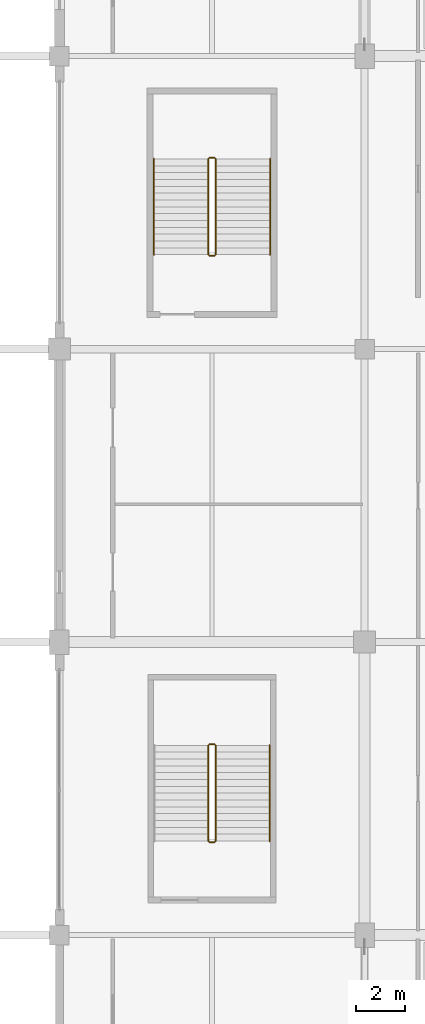
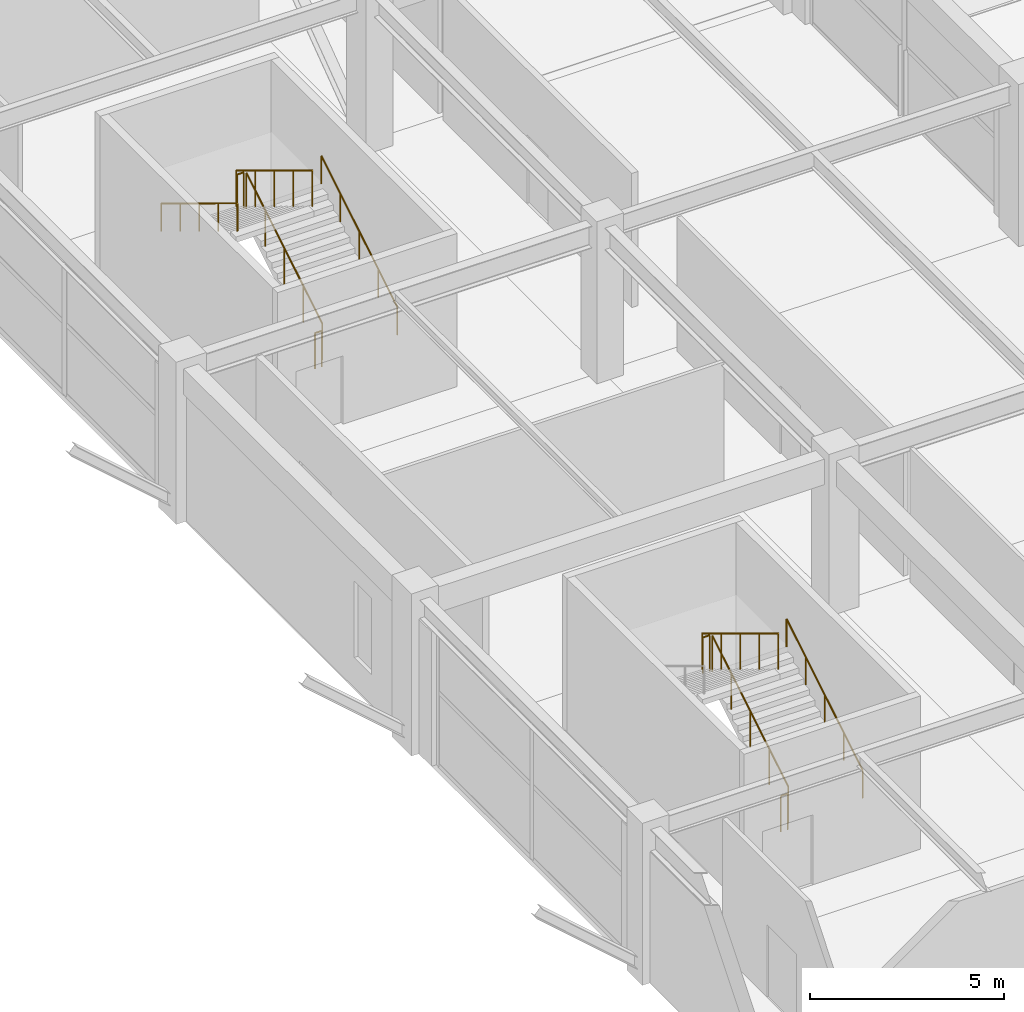
# One storey, part 106 of 116: 11 railings.
"""IFC4 building model written with IfcOpenShell, lengths in metres."""

import ifcopenshell
import ifcopenshell.guid

model = None  # the IFC model being written
_history = None  # IfcOwnerHistory: only IFC2X3 demands one
_inside = {}  # id of a spatial element -> (the spatial element, [elements in it])
_under = {}  # id of a project, library or spatial element -> (it, [spatial elements below it])
_declared = {}  # id of a project -> (the project, [libraries it declares])
_typed = {}  # id of a type object -> (the type object, [elements of that type])
_made_of = {}  # id of a material, layer set ... -> (it, [elements and type objects made of it])


def new_model(schema):
    """Start an empty IFC model of exactly this schema.

    Asked for "IFC4X3", IfcOpenShell would pick the latest addendum, in which some entities
    have other attributes; the version numbers below select the first issue.
    IFC2X3 requires an IfcOwnerHistory on every rooted entity: one is made here for all.
    """
    global model, _history
    if schema == "IFC4X3":
        model = ifcopenshell.file(schema_version=(4, 3, 0, 0))
    else:
        model = ifcopenshell.file(schema=schema)
    _inside.clear()
    _under.clear()
    _declared.clear()
    _typed.clear()
    _made_of.clear()
    _history = None
    if model.schema == "IFC2X3":
        org = make("IfcOrganization", Name="unknown")
        user = make(
            "IfcPersonAndOrganization",
            ThePerson=make("IfcPerson", FamilyName="unknown"),
            TheOrganization=org,
        )
        app = make(
            "IfcApplication",
            ApplicationDeveloper=org,
            Version="unknown",
            ApplicationFullName="unknown",
            ApplicationIdentifier="unknown",
        )
        _history = make(
            "IfcOwnerHistory",
            OwningUser=user,
            OwningApplication=app,
            ChangeAction="ADDED",
            CreationDate=0,
        )
    return model


def make(cls, **values):
    """One entity of the class cls with the attributes given. An attribute that is None is left unset."""
    return model.create_entity(
        cls, **{name: value for name, value in values.items() if value is not None}
    )


def rooted(cls, **values):
    """An entity with a GlobalId (a new one), such as an element, a storey or a relation."""
    return make(cls, GlobalId=ifcopenshell.guid.new(), OwnerHistory=_history, **values)


def si_unit(unit_type, name, prefix=None):
    """IfcSIUnit, for example si_unit("LENGTHUNIT", "METRE", prefix="MILLI")."""
    return make("IfcSIUnit", UnitType=unit_type, Prefix=prefix, Name=name)


def assignment(units):
    """IfcUnitAssignment: the units of a project."""
    return None if units is None else make("IfcUnitAssignment", Units=units)


def point(xyz):
    """IfcCartesianPoint."""
    return None if xyz is None else make("IfcCartesianPoint", Coordinates=xyz)


def direction(xyz):
    """IfcDirection."""
    return None if xyz is None else make("IfcDirection", DirectionRatios=xyz)


def frame(location, z_axis=None, x_axis=None):
    """IfcAxis2Placement3D, a coordinate frame: its origin and axes. An axis left out is left unset."""
    return make(
        "IfcAxis2Placement3D",
        Location=point(location),
        Axis=direction(z_axis),
        RefDirection=direction(x_axis),
    )


def frame_2d(location, x_axis=None):
    """IfcAxis2Placement2D, a coordinate frame in the plane: its origin and x axis."""
    return make(
        "IfcAxis2Placement2D", Location=point(location), RefDirection=direction(x_axis)
    )


def origin():
    """The frame at (0, 0, 0) with its axes left unset."""
    return frame((0.0, 0.0, 0.0))


def origin_2d():
    """The frame at (0, 0) in the plane with its x axis left unset."""
    return frame_2d((0.0, 0.0))


def place(relative_to, where):
    """IfcLocalPlacement: puts the frame where relative to a parent placement (None: the world)."""
    return make(
        "IfcLocalPlacement", PlacementRelTo=relative_to, RelativePlacement=where
    )


def context(
    kind, dimensions, precision=None, world=None, true_north=None, identifier=None
):
    """IfcGeometricRepresentationContext, for example the 3D "Model" context."""
    return make(
        "IfcGeometricRepresentationContext",
        ContextIdentifier=identifier,
        ContextType=kind,
        CoordinateSpaceDimension=dimensions,
        Precision=precision,
        WorldCoordinateSystem=world,
        TrueNorth=true_north,
    )


def subcontext(parent, identifier, kind, view, scale=None):
    """IfcGeometricRepresentationSubContext, for example "Body" below "Model"."""
    return make(
        "IfcGeometricRepresentationSubContext",
        ContextIdentifier=identifier,
        ContextType=kind,
        ParentContext=parent,
        TargetScale=scale,
        TargetView=view,
    )


def project(units=None, contexts=None):
    """IfcProject with its units and contexts."""
    return rooted(
        "IfcProject",
        Name="project",
        RepresentationContexts=contexts,
        UnitsInContext=assignment(units),
    )


def spatial(cls, under=None, at=None, **own):
    """A site, building, storey or space (cls), placed at a placement, below another one or the project."""
    s = rooted(cls, ObjectPlacement=at, **own)
    if under is not None:
        _under.setdefault(under.id(), (under, []))[1].append(s)
    return s


def profile(cls, at=None, kind="AREA", **sizes):
    """A parametric profile (cls). Its sizes go by their IFC names, for example OverallWidth=200.0."""
    return make(cls, ProfileType=kind, Position=at, **sizes)


def circle(**sizes):
    """IfcCircleProfileDef."""
    return profile("IfcCircleProfileDef", **sizes)


def extrude(swept, where, along, depth):
    """IfcExtrudedAreaSolid: the profile swept, set in the frame where, extruded along a direction by depth."""
    return make(
        "IfcExtrudedAreaSolid",
        SweptArea=swept,
        Position=where,
        ExtrudedDirection=direction(along),
        Depth=depth,
    )


def shape(context_of_items, identifier, shape_type, items):
    """IfcShapeRepresentation: the items that make up one representation, for example the "Body"."""
    return make(
        "IfcShapeRepresentation",
        ContextOfItems=context_of_items,
        RepresentationIdentifier=identifier,
        RepresentationType=shape_type,
        Items=items,
    )


def material(Name=None, Category=None):
    """IfcMaterial."""
    return make("IfcMaterial", Name=Name, Category=Category)


def layer(
    of_material, thickness, ventilated=None, Name=None, Category=None, Priority=None
):
    """IfcMaterialLayer: one layer of a wall or slab, of a material (None: an air gap)."""
    return make(
        "IfcMaterialLayer",
        Material=of_material,
        LayerThickness=thickness,
        IsVentilated=ventilated,
        Name=Name,
        Category=Category,
        Priority=Priority,
    )


def layer_set(layers, Name=None):
    """IfcMaterialLayerSet."""
    return make("IfcMaterialLayerSet", MaterialLayers=layers, LayerSetName=Name)


def made_of(thing, what):
    """Note that an element or type object is made of a material, layer set ...; save() writes the relation."""
    if what is not None:
        _made_of.setdefault(what.id(), (what, []))[1].append(thing)
    return thing


def type_object(cls, material=None, **own):
    """A type object (cls), such as IfcWallType, which elements share."""
    return made_of(rooted(cls, **own), material)


def element(
    cls,
    number,
    at=None,
    inside=None,
    cuts=None,
    type_object=None,
    material=None,
    context=None,
    identifier="Body",
    shape_type=None,
    held_by="IfcProductDefinitionShape",
    body=None,
    shapes=None,
    **own,
):
    """One element of the class cls, such as IfcWall. Its Tag is "e" and its number.

    at: its placement. inside: the storey or other place that contains it. cuts: it is an
    opening in that element (IfcRelVoidsElement). A single representation is given by context,
    identifier, shape_type and body (its items); several are given by shapes. held_by: the class
    of the entity that holds the representations. save() writes the other relations.
    """
    e = rooted(cls, Tag="e%d" % number, ObjectPlacement=at, **own)
    if body is not None:
        shapes = [shape(context, identifier, shape_type, body)]
    if shapes is not None:
        e.Representation = make(held_by, Representations=shapes)
    if inside is not None:
        _inside.setdefault(inside.id(), (inside, []))[1].append(e)
    if cuts is not None:
        rooted(
            "IfcRelVoidsElement", RelatingBuildingElement=cuts, RelatedOpeningElement=e
        )
    if type_object is not None:
        _typed.setdefault(type_object.id(), (type_object, []))[1].append(e)
    return made_of(e, material)


def aggregate(whole, parts):
    """IfcRelAggregates: a whole, such as a stair, and the parts it consists of."""
    return rooted("IfcRelAggregates", RelatingObject=whole, RelatedObjects=parts)


def save(model, path):
    """Write the relations noted so far, then the file.

    IfcRelAggregates (storeys below a building ...), IfcRelContainedInSpatialStructure (elements
    in a storey), IfcRelDefinesByType, IfcRelAssociatesMaterial and IfcRelDeclares: one each for
    every whole, place, type object, material and project.
    """
    for whole, parts in _under.values():
        aggregate(whole, parts)
    for where, things in _inside.values():
        rooted(
            "IfcRelContainedInSpatialStructure",
            RelatedElements=things,
            RelatingStructure=where,
        )
    for kind, things in _typed.values():
        rooted("IfcRelDefinesByType", RelatedObjects=things, RelatingType=kind)
    for what, things in _made_of.values():
        rooted("IfcRelAssociatesMaterial", RelatedObjects=things, RelatingMaterial=what)
    for by, libraries in _declared.values():
        rooted("IfcRelDeclares", RelatingContext=by, RelatedDefinitions=libraries)
    model.write(path)


model = new_model("IFC4")

# Units and contexts
model_context = context("Model", 3, precision=1e-05, world=origin(), true_north=direction((0.0, 1.0)))
body_context = subcontext(model_context, "Body", "Model", "MODEL_VIEW")
ifc_project = project(units=[si_unit("LENGTHUNIT", "METRE"), si_unit("AREAUNIT", "SQUARE_METRE"), si_unit("VOLUMEUNIT", "CUBIC_METRE"), si_unit("PLANEANGLEUNIT", "RADIAN"), si_unit("MASSUNIT", "GRAM", prefix="KILO")], contexts=[model_context])

# Site, building, storey
site_placement = place(None, origin())
site = spatial("IfcSite", under=ifc_project, at=site_placement, CompositionType="ELEMENT")
building_placement = place(site_placement, origin())
building = spatial("IfcBuilding", under=site, at=building_placement, Name="Kazenohara Klinker Stadium", CompositionType="ELEMENT")
storey_placement = place(building_placement, frame((0.0, 0.0, 10.199951171875)))
storey = spatial("IfcBuildingStorey", under=building, at=storey_placement, Name="L02", CompositionType="ELEMENT", Elevation=10.199951171875)

# Railings
ifc_material_1 = material(Name="Brushed stainless steel 304 handrail", Category="steel")
ifc_layer_1 = layer(ifc_material_1, 0.050048828125)
ifc_layer_set_1 = layer_set([ifc_layer_1], Name="Brushed stainless steel 304 handrail")
railing_type_1 = type_object("IfcRailingType", Name="RL-HND-900", PredefinedType="HANDRAIL", material=ifc_layer_set_1)
for number, where, name in (
    (1, (183.610107421875, 75.85009765625, 0.170166015625), "L02 ST22 stair handrail 1"),
    (2, (183.6298828125, 99.8701171875, 0.170166015625), "L02 ST23 stair handrail 1"),
):
    element("IfcRailing", number, at=place(storey_placement, frame(where)), inside=storey, type_object=railing_type_1, Name=name, PredefinedType="HANDRAIL", context=body_context, shape_type="SweptSolid", body=[
        extrude(circle(Radius=0.02392578125, at=origin_2d()), frame((0.0, 0.0, 0.8759765625), z_axis=(0.0, 0.854794262968, 0.518967020143), x_axis=(-1.0, 0.0, 0.0)), (0.0, 0.0, 1.0), 4.585693359375),
        extrude(circle(Radius=0.02099609375, at=origin_2d()), origin(), (0.0, 0.0, 1.0), 0.851806640625),
        extrude(circle(Radius=0.02099609375, at=origin_2d()), frame((0.0, 0.97998046875, 0.594970703125)), (0.0, 0.0, 1.0), 0.851806640625),
        extrude(circle(Radius=0.02099609375, at=origin_2d()), frame((0.0, 1.9599609375, 1.18994140625)), (0.0, 0.0, 1.0), 0.851806640625),
        extrude(circle(Radius=0.02099609375, at=origin_2d()), frame((0.0, 2.93994140625, 1.784912109375)), (0.0, 0.0, 1.0), 0.851806640625),
        extrude(circle(Radius=0.02099609375, at=origin_2d()), frame((0.0, 3.919921875, 2.3798828125)), (0.0, 0.0, 1.0), 0.851806640625),
    ])
railing_1_placement = place(storey_placement, frame((178.8701171875, 103.7900390625, 2.719970703125)))
element("IfcRailing", 3, at=railing_1_placement, inside=storey, type_object=railing_type_1, Name="L02 ST23 stair handrail 2", PredefinedType="HANDRAIL", context=body_context, shape_type="SweptSolid", body=[
    extrude(circle(Radius=0.02392578125, at=origin_2d()), frame((0.0, 0.0, 0.8759765625), z_axis=(0.0, -0.854770645689, 0.519005918337), x_axis=(1.0, 0.0, 0.0)), (0.0, 0.0, 1.0), 4.5859375),
    extrude(circle(Radius=0.02099609375, at=origin_2d()), origin(), (0.0, 0.0, 1.0), 0.851806640625),
    extrude(circle(Radius=0.02099609375, at=origin_2d()), frame((0.0, -0.97998046875, 0.594970703125)), (0.0, 0.0, 1.0), 0.851806640625),
    extrude(circle(Radius=0.02099609375, at=origin_2d()), frame((0.0, -1.9599609375, 1.18994140625)), (0.0, 0.0, 1.0), 0.851806640625),
    extrude(circle(Radius=0.02099609375, at=origin_2d()), frame((0.0, -2.93994140625, 1.78515625)), (0.0, 0.0, 1.0), 0.851806640625),
    extrude(circle(Radius=0.02099609375, at=origin_2d()), frame((0.0, -3.919921875, 2.380126953125)), (0.0, 0.0, 1.0), 0.851806640625),
])
ifc_material_2 = material(Name="Painted steel stairwell guardrail", Category="steel")
ifc_layer_2 = layer(ifc_material_2, 0.06005859375)
ifc_layer_set_2 = layer_set([ifc_layer_2], Name="Painted steel stairwell guardrail")
railing_type_2 = type_object("IfcRailingType", Name="RL-STG-1120", PredefinedType="GUARDRAIL", material=ifc_layer_set_2)
railing_2_placement = place(storey_placement, frame((181.39990234375, 75.85009765625, 0.170166015625)))
element("IfcRailing", 4, at=railing_2_placement, inside=storey, type_object=railing_type_2, Name="L02 ST22 stair guard 1", PredefinedType="GUARDRAIL", context=body_context, shape_type="SweptSolid", body=[
    extrude(circle(Radius=0.02392578125, at=origin_2d()), frame((0.0, 0.0, 1.1259765625), z_axis=(0.0, 0.854794262968, 0.518967020143), x_axis=(-1.0, 0.0, 0.0)), (0.0, 0.0, 1.0), 4.585693359375),
    extrude(circle(Radius=0.02099609375, at=origin_2d()), origin(), (0.0, 0.0, 1.0), 1.101806640625),
    extrude(circle(Radius=0.02099609375, at=origin_2d()), frame((0.0, 0.97998046875, 0.594970703125)), (0.0, 0.0, 1.0), 1.101806640625),
    extrude(circle(Radius=0.02099609375, at=origin_2d()), frame((0.0, 1.9599609375, 1.18994140625)), (0.0, 0.0, 1.0), 1.101806640625),
    extrude(circle(Radius=0.02099609375, at=origin_2d()), frame((0.0, 2.93994140625, 1.784912109375)), (0.0, 0.0, 1.0), 1.101806640625),
    extrude(circle(Radius=0.02099609375, at=origin_2d()), frame((0.0, 3.919921875, 2.3798828125)), (0.0, 0.0, 1.0), 1.101806640625),
])
railing_3_placement = place(storey_placement, frame((181.35009765625, 79.820068359375, 2.550048828125)))
element("IfcRailing", 5, at=railing_3_placement, inside=storey, type_object=railing_type_2, Name="L02 ST22 stair guard 2", PredefinedType="GUARDRAIL", context=body_context, shape_type="SweptSolid", body=[
    extrude(circle(Radius=0.02392578125, at=origin_2d()), frame((0.0, 0.0, 1.1259765625), z_axis=(-1.0, 0.0, 0.0), x_axis=(0.0, -1.0, 0.0)), (0.0, 0.0, 1.0), 0.2001953125),
    extrude(circle(Radius=0.02099609375, at=origin_2d()), origin(), (0.0, 0.0, 1.0), 1.101806640625),
    extrude(circle(Radius=0.02099609375, at=origin_2d()), frame((-0.2001953125, 0.0, 0.0)), (0.0, 0.0, 1.0), 1.101806640625),
])
railing_4_placement = place(storey_placement, frame((181.10009765625, 79.77001953125, 2.719970703125)))
element("IfcRailing", 6, at=railing_4_placement, inside=storey, type_object=railing_type_2, Name="L02 ST22 stair guard 3", PredefinedType="GUARDRAIL", context=body_context, shape_type="SweptSolid", body=[
    extrude(circle(Radius=0.02392578125, at=origin_2d()), frame((0.0, 0.0, 1.1259765625), z_axis=(0.0, -0.854770645689, 0.519005918337), x_axis=(1.0, 0.0, 0.0)), (0.0, 0.0, 1.0), 4.5859375),
    extrude(circle(Radius=0.02099609375, at=origin_2d()), origin(), (0.0, 0.0, 1.0), 1.101806640625),
    extrude(circle(Radius=0.02099609375, at=origin_2d()), frame((0.0, -0.97998046875, 0.594970703125)), (0.0, 0.0, 1.0), 1.101806640625),
    extrude(circle(Radius=0.02099609375, at=origin_2d()), frame((0.0, -1.9599609375, 1.18994140625)), (0.0, 0.0, 1.0), 1.101806640625),
    extrude(circle(Radius=0.02099609375, at=origin_2d()), frame((0.0, -2.93994140625, 1.78515625)), (0.0, 0.0, 1.0), 1.101806640625),
    extrude(circle(Radius=0.02099609375, at=origin_2d()), frame((0.0, -3.919921875, 2.380126953125)), (0.0, 0.0, 1.0), 1.101806640625),
])
railing_5_placement = place(storey_placement, frame((181.35009765625, 75.800048828125, 0.0)))
element("IfcRailing", 7, at=railing_5_placement, inside=storey, type_object=railing_type_2, Name="L02 ST22 stair guard 4", PredefinedType="GUARDRAIL", context=body_context, shape_type="SweptSolid", body=[
    extrude(circle(Radius=0.02392578125, at=origin_2d()), frame((0.0, 0.0, 1.1259765625), z_axis=(-1.0, 0.0, 0.0), x_axis=(0.0, -1.0, 0.0)), (0.0, 0.0, 1.0), 0.2001953125),
    extrude(circle(Radius=0.02099609375, at=origin_2d()), origin(), (0.0, 0.0, 1.0), 1.101806640625),
    extrude(circle(Radius=0.02099609375, at=origin_2d()), frame((-0.2001953125, 0.0, 0.0)), (0.0, 0.0, 1.0), 1.101806640625),
])
railing_6_placement = place(storey_placement, frame((181.39990234375, 99.8701171875, 0.170166015625)))
element("IfcRailing", 8, at=railing_6_placement, inside=storey, type_object=railing_type_2, Name="L02 ST23 stair guard 1", PredefinedType="GUARDRAIL", context=body_context, shape_type="SweptSolid", body=[
    extrude(circle(Radius=0.02392578125, at=origin_2d()), frame((0.0, 0.0, 1.1259765625), z_axis=(0.0, 0.854794262968, 0.518967020143), x_axis=(-1.0, 0.0, 0.0)), (0.0, 0.0, 1.0), 4.585693359375),
    extrude(circle(Radius=0.02099609375, at=origin_2d()), origin(), (0.0, 0.0, 1.0), 1.101806640625),
    extrude(circle(Radius=0.02099609375, at=origin_2d()), frame((0.0, 0.97998046875, 0.594970703125)), (0.0, 0.0, 1.0), 1.101806640625),
    extrude(circle(Radius=0.02099609375, at=origin_2d()), frame((0.0, 1.9599609375, 1.18994140625)), (0.0, 0.0, 1.0), 1.101806640625),
    extrude(circle(Radius=0.02099609375, at=origin_2d()), frame((0.0, 2.93994140625, 1.784912109375)), (0.0, 0.0, 1.0), 1.101806640625),
    extrude(circle(Radius=0.02099609375, at=origin_2d()), frame((0.0, 3.919921875, 2.3798828125)), (0.0, 0.0, 1.0), 1.101806640625),
])
railing_7_placement = place(storey_placement, frame((181.35009765625, 103.840087890625, 2.550048828125)))
element("IfcRailing", 9, at=railing_7_placement, inside=storey, type_object=railing_type_2, Name="L02 ST23 stair guard 2", PredefinedType="GUARDRAIL", context=body_context, shape_type="SweptSolid", body=[
    extrude(circle(Radius=0.02392578125, at=origin_2d()), frame((0.0, 0.0, 1.1259765625), z_axis=(-1.0, 0.0, 0.0), x_axis=(0.0, -1.0, 0.0)), (0.0, 0.0, 1.0), 0.2001953125),
    extrude(circle(Radius=0.02099609375, at=origin_2d()), origin(), (0.0, 0.0, 1.0), 1.101806640625),
    extrude(circle(Radius=0.02099609375, at=origin_2d()), frame((-0.2001953125, 0.0, 0.0)), (0.0, 0.0, 1.0), 1.101806640625),
])
railing_8_placement = place(storey_placement, frame((181.10009765625, 103.7900390625, 2.719970703125)))
element("IfcRailing", 10, at=railing_8_placement, inside=storey, type_object=railing_type_2, Name="L02 ST23 stair guard 3", PredefinedType="GUARDRAIL", context=body_context, shape_type="SweptSolid", body=[
    extrude(circle(Radius=0.02392578125, at=origin_2d()), frame((0.0, 0.0, 1.1259765625), z_axis=(0.0, -0.854770645689, 0.519005918337), x_axis=(1.0, 0.0, 0.0)), (0.0, 0.0, 1.0), 4.5859375),
    extrude(circle(Radius=0.02099609375, at=origin_2d()), origin(), (0.0, 0.0, 1.0), 1.101806640625),
    extrude(circle(Radius=0.02099609375, at=origin_2d()), frame((0.0, -0.97998046875, 0.594970703125)), (0.0, 0.0, 1.0), 1.101806640625),
    extrude(circle(Radius=0.02099609375, at=origin_2d()), frame((0.0, -1.9599609375, 1.18994140625)), (0.0, 0.0, 1.0), 1.101806640625),
    extrude(circle(Radius=0.02099609375, at=origin_2d()), frame((0.0, -2.93994140625, 1.78515625)), (0.0, 0.0, 1.0), 1.101806640625),
    extrude(circle(Radius=0.02099609375, at=origin_2d()), frame((0.0, -3.919921875, 2.380126953125)), (0.0, 0.0, 1.0), 1.101806640625),
])
railing_9_placement = place(storey_placement, frame((181.35009765625, 99.820068359375, 0.0)))
element("IfcRailing", 11, at=railing_9_placement, inside=storey, type_object=railing_type_2, Name="L02 ST23 stair guard 4", PredefinedType="GUARDRAIL", context=body_context, shape_type="SweptSolid", body=[
    extrude(circle(Radius=0.02392578125, at=origin_2d()), frame((0.0, 0.0, 1.1259765625), z_axis=(-1.0, 0.0, 0.0), x_axis=(0.0, -1.0, 0.0)), (0.0, 0.0, 1.0), 0.2001953125),
    extrude(circle(Radius=0.02099609375, at=origin_2d()), origin(), (0.0, 0.0, 1.0), 1.101806640625),
    extrude(circle(Radius=0.02099609375, at=origin_2d()), frame((-0.2001953125, 0.0, 0.0)), (0.0, 0.0, 1.0), 1.101806640625),
])

save(model, "model.ifc")
